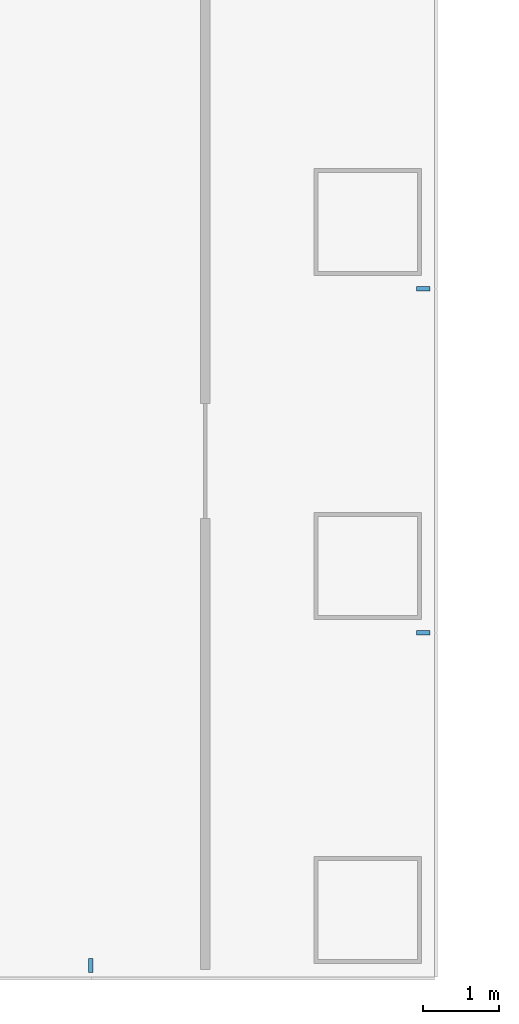
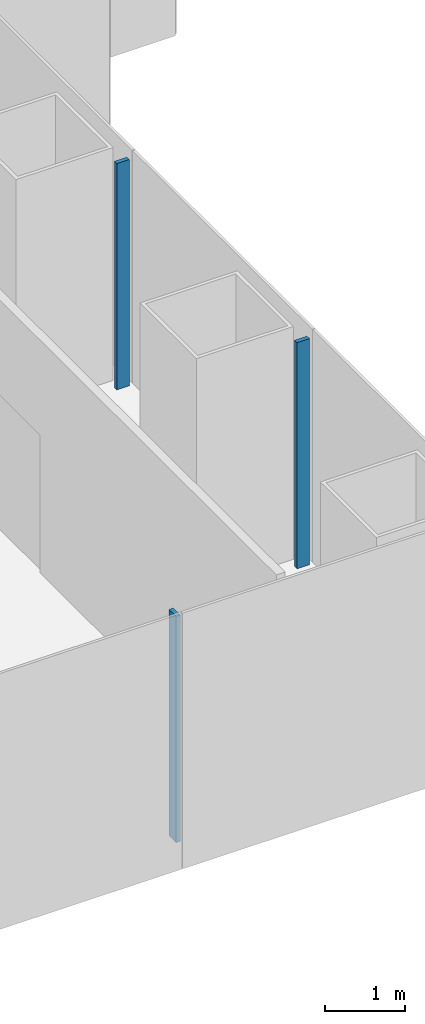
# One storey, part 8 of 21: 3 members, 2 elements without a shape of their own.
"""IFC4 building model written with IfcOpenShell, lengths in metres."""

from ifc_helpers import new_model, si_unit, direction, frame, origin, origin_2d, place, context, subcontext, project, spatial, rectangle, extrude, material, layer, layer_set, material_profile, profile_set, type_object, element, aggregate, save


model = new_model("IFC4")

# Units and contexts
model_context = context("Model", 3, precision=1e-05, world=origin(), true_north=direction((0.0, 1.0)))
body_context = subcontext(model_context, "Body", "Model", "MODEL_VIEW")
ifc_project = project(units=[si_unit("LENGTHUNIT", "METRE"), si_unit("AREAUNIT", "SQUARE_METRE"), si_unit("VOLUMEUNIT", "CUBIC_METRE"), si_unit("PLANEANGLEUNIT", "RADIAN"), si_unit("MASSUNIT", "GRAM", prefix="KILO")], contexts=[model_context])

# Site, building, storey
site_placement = place(None, origin())
site = spatial("IfcSite", under=ifc_project, at=site_placement, CompositionType="ELEMENT")
building_placement = place(site_placement, origin())
building = spatial("IfcBuilding", under=site, at=building_placement, Name="Shamsa Quay Exchange Towers", CompositionType="ELEMENT")
storey_placement = place(building_placement, frame((0.0, 0.0, 61.5)))
storey = spatial("IfcBuildingStorey", under=building, at=storey_placement, Name="L13", CompositionType="ELEMENT", Elevation=61.5)

# Curtain wall, member
ifc_material = material(Name="Aluminium EN AW-6063 T6, black anodised", Category="aluminium")
ifc_layer = layer(ifc_material, 0.280029296875)
ifc_layer_set = layer_set([ifc_layer], Name="CW-1 UNITISED VISION GLASS")
curtain_wall_type = type_object("IfcCurtainWallType", Name="CW-1 UNITISED VISION GLASS", PredefinedType="NOTDEFINED", material=ifc_layer_set)
curtain_wall_1_placement = place(storey_placement, origin())
curtain_wall_1 = element("IfcCurtainWall", 1, at=curtain_wall_1_placement, inside=storey, type_object=curtain_wall_type, Name="CW1 T2-END-U- L13", PredefinedType="NOTDEFINED")
ifc_material_profile = material_profile(ifc_material, rectangle(XDim=0.179931640625, YDim=0.06005859375, at=origin_2d()), Name="MU60x180")
ifc_profile_set = profile_set([ifc_material_profile], Name="Aluminium EN AW-6063 T6, black anodised")
member_type = type_object("IfcMemberType", Name="CW1 MULLION 60x180", PredefinedType="MULLION", material=ifc_profile_set)
member_1_placement = place(storey_placement, frame((36.0, -24.60009765625, 0.0), z_axis=(0.0, 0.0, 1.0), x_axis=(0.0, 1.0, 0.0)))
member_1 = element("IfcMember", 2, at=member_1_placement, type_object=member_type, Name="CW1 mullion", PredefinedType="MULLION", context=body_context, shape_type="SweptSolid", body=[
    extrude(rectangle(XDim=0.179931640625, YDim=0.06005859375, at=origin_2d()), origin(), (0.0, 0.0, 1.0), 3.449951171875),
])
aggregate(curtain_wall_1, [member_1])

# Curtain wall, members
curtain_wall_2_placement = place(storey_placement, origin())
curtain_wall_2 = element("IfcCurtainWall", 3, at=curtain_wall_2_placement, inside=storey, type_object=curtain_wall_type, Name="CW1 T2-FLK-U-S L13", PredefinedType="NOTDEFINED")
member_2_placement = place(storey_placement, frame((40.35009765625, -20.25, 0.0), z_axis=(0.0, 0.0, 1.0), x_axis=(-1.0, 0.0, 0.0)))
member_2 = element("IfcMember", 4, at=member_2_placement, type_object=member_type, Name="CW1 mullion", PredefinedType="MULLION", context=body_context, shape_type="SweptSolid", body=[
    extrude(rectangle(XDim=0.179931640625, YDim=0.06005859375, at=origin_2d()), origin(), (0.0, 0.0, 1.0), 3.449951171875),
])
member_3_placement = place(storey_placement, frame((40.35009765625, -15.75, 0.0), z_axis=(0.0, 0.0, 1.0), x_axis=(-1.0, 0.0, 0.0)))
member_3 = element("IfcMember", 5, at=member_3_placement, type_object=member_type, Name="CW1 mullion", PredefinedType="MULLION", context=body_context, shape_type="SweptSolid", body=[
    extrude(rectangle(XDim=0.179931640625, YDim=0.06005859375, at=origin_2d()), origin(), (0.0, 0.0, 1.0), 3.449951171875),
])
aggregate(curtain_wall_2, [member_2, member_3])

save(model, "model.ifc")
